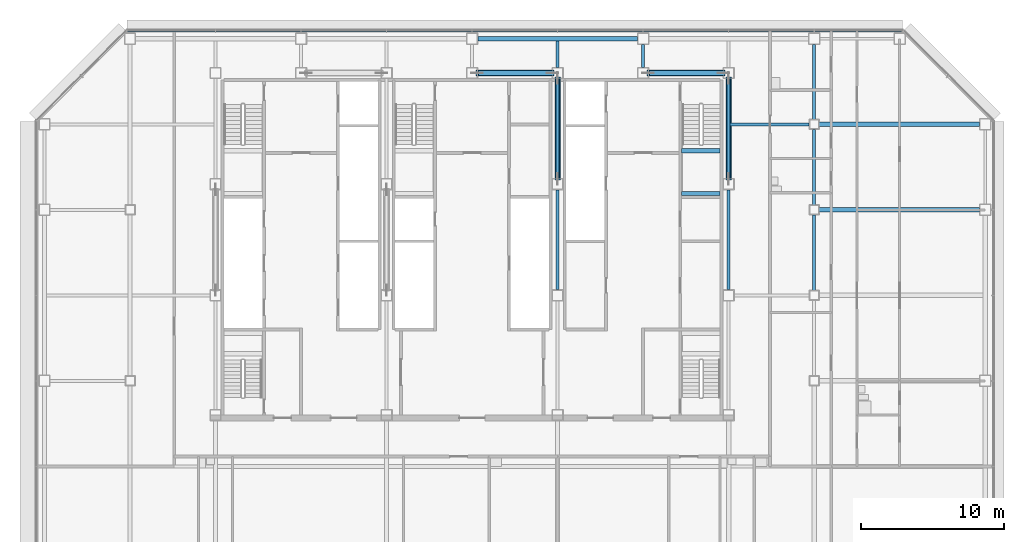
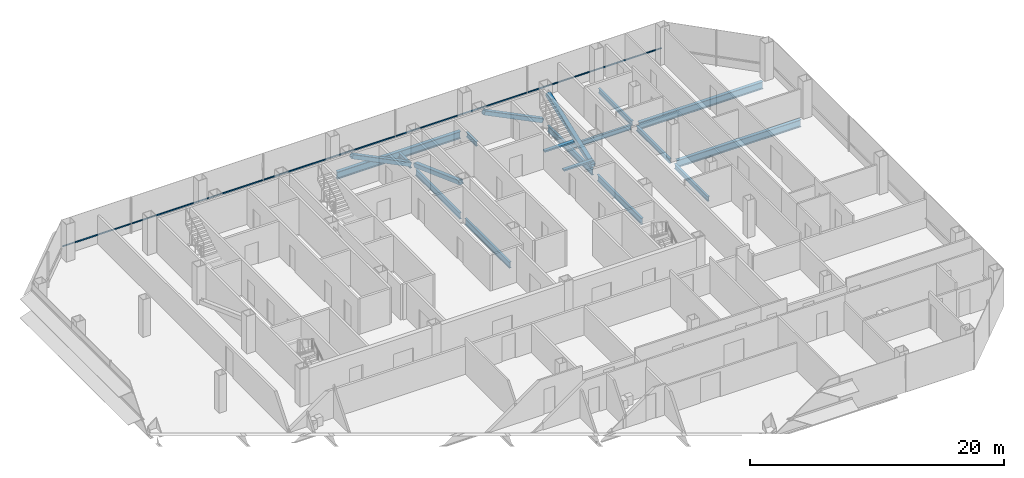
# One storey, part 13 of 25: 15 beams, 5 members, 1 element without a shape of its own.
"""IFC4 building model written with IfcOpenShell, lengths in metres."""

from ifc_helpers import new_model, si_unit, direction, frame, origin, origin_2d, place, context, subcontext, project, spatial, rectangle, hollow_rectangle, i_section, extrude, material, material_profile, profile_set, type_object, element, aggregate, save


model = new_model("IFC4")

# Units and contexts
model_context = context("Model", 3, precision=1e-05, world=origin(), true_north=direction((0.0, 1.0)))
body_context = subcontext(model_context, "Body", "Model", "MODEL_VIEW")
ifc_project = project(units=[si_unit("LENGTHUNIT", "METRE"), si_unit("AREAUNIT", "SQUARE_METRE"), si_unit("VOLUMEUNIT", "CUBIC_METRE"), si_unit("PLANEANGLEUNIT", "RADIAN"), si_unit("MASSUNIT", "GRAM", prefix="KILO")], contexts=[model_context])

# Site, building, storey
site_placement = place(None, origin())
site = spatial("IfcSite", under=ifc_project, at=site_placement, CompositionType="ELEMENT")
building_placement = place(site_placement, origin())
building = spatial("IfcBuilding", under=site, at=building_placement, Name="Sorahane Residences", CompositionType="ELEMENT")
storey_placement = place(building_placement, frame((0.0, 0.0, 130.39990234375)))
storey = spatial("IfcBuildingStorey", under=building, at=storey_placement, Name="L29", CompositionType="ELEMENT", Elevation=130.39990234375)

# Members
ifc_material_1 = material(Name="Steel Q355B", Category="steel")
ifc_material_profile_1 = material_profile(ifc_material_1, hollow_rectangle(XDim=0.39990234375, YDim=0.39990234375, WallThickness=0.02001953125, InnerFilletRadius=0.010009765625, OuterFilletRadius=0.030029296875, at=origin_2d()), Name="RHS 400x400x20")
ifc_profile_set_1 = profile_set([ifc_material_profile_1], Name="Steel Q355B")
member_type_1 = type_object("IfcMemberType", Name="Core brace RHS 400x400x20 Q355B", PredefinedType="BRACE", material=ifc_profile_set_1)
for number, where, z_axis, x_axis, name in (
    (1, (29.653076171875, 45.60009765625, 0.173828125), (-0.896480070819, 0.0, 0.443084058192), (0.0, -1.0, 0.0), "Core brace L29 y45.6-4"),
    (2, (41.653076171875, 45.60009765625, 0.173828125), (-0.896480070819, 0.0, 0.443084058192), (0.0, -1.0, 0.0), "Core brace L29 y45.6-6"),
):
    element("IfcMember", number, at=place(storey_placement, frame(where, z_axis=z_axis, x_axis=x_axis)), inside=storey, type_object=member_type_1, Name=name, PredefinedType="BRACE", context=body_context, shape_type="SweptSolid", body=[
        extrude(hollow_rectangle(XDim=0.39990234375, YDim=0.39990234375, WallThickness=0.02001953125, InnerFilletRadius=0.010009765625, OuterFilletRadius=0.030029296875, at=origin_2d()), origin(), (0.0, 0.0, 1.0), 5.9189453125),
    ])
for number, where, z_axis, x_axis, name in (
    (3, (42.0, 38.15869140625, 0.184814453125), (0.0, 0.938723182636, 0.344671998257), (-1.0, 0.0, 0.0), "Core brace L29 x42-3"),
    (4, (30.0, 45.241455078125, 0.184814453125), (0.0, -0.938723182636, 0.344671998257), (1.0, 0.0, 0.0), "Core brace L29 x30-2"),
):
    element("IfcMember", number, at=place(storey_placement, frame(where, z_axis=z_axis, x_axis=x_axis)), inside=storey, type_object=member_type_1, Name=name, PredefinedType="BRACE", context=body_context, shape_type="SweptSolid", body=[
        extrude(hollow_rectangle(XDim=0.39990234375, YDim=0.39990234375, WallThickness=0.02001953125, InnerFilletRadius=0.010009765625, OuterFilletRadius=0.030029296875, at=origin_2d()), origin(), (0.0, 0.0, 1.0), 7.545166015625),
    ])

# Curtain wall, member
ifc_material_2 = material(Name="Dark low-e glass and black anodised aluminium", Category="aluminium")
curtain_wall_type = type_object("IfcCurtainWallType", Name="Curtain wall CW-1 Typical unitised wall", PredefinedType="NOTDEFINED", material=ifc_material_2)
curtain_wall_placement = place(storey_placement, origin())
curtain_wall = element("IfcCurtainWall", 5, at=curtain_wall_placement, inside=storey, type_object=curtain_wall_type, Name="CW-1 curtain wall L29 N1", PredefinedType="NOTDEFINED")
ifc_material_3 = material(Name="Black anodised aluminium", Category="aluminium")
ifc_material_profile_2 = material_profile(ifc_material_3, rectangle(XDim=0.10009765625, YDim=0.06005859375, at=origin_2d()), Name="Curtain wall transom CW-1 black anodised aluminium 60x100")
ifc_profile_set_2 = profile_set([ifc_material_profile_2], Name="Black anodised aluminium")
member_type_2 = type_object("IfcMemberType", Name="Curtain wall transom CW-1 black anodised aluminium 60x100", PredefinedType="USERDEFINED", material=ifc_profile_set_2)
member_placement = place(storey_placement, frame((54.198486328125, 48.530029296875, 0.900146484375), z_axis=(-1.0, 0.0, 0.0), x_axis=(0.0, -1.0, 0.0)))
member = element("IfcMember", 6, at=member_placement, type_object=member_type_2, Name="CW-1 transom L29 N1", ObjectType="TRANSOM", PredefinedType="USERDEFINED", context=body_context, shape_type="SweptSolid", body=[
    extrude(rectangle(XDim=0.10009765625, YDim=0.06005859375, at=origin_2d()), origin(), (0.0, 0.0, 1.0), 54.39697265625),
])
aggregate(curtain_wall, [member])

# Beams
ifc_material_4 = material(Name="Concrete C40", Category="concrete")
ifc_material_profile_3 = material_profile(ifc_material_4, rectangle(XDim=0.300048828125, YDim=0.139892578125, at=origin_2d()), Name="300x140")
ifc_profile_set_3 = profile_set([ifc_material_profile_3], Name="Concrete C40")
beam_type_1 = type_object("IfcBeamType", Name="RC landing beam 300 x 140 Concrete C40", PredefinedType="BEAM", material=ifc_profile_set_3)
for number, where, z_axis, x_axis, name in (
    (7, (38.699951171875, 37.14990234375, 1.530029296875), (1.0, 0.0, 0.0), (0.0, 1.0, 0.0), "Landing beam"),
    (8, (38.699951171875, 40.14990234375, 1.530029296875), (1.0, 0.0, 0.0), (0.0, 1.0, 0.0), "Landing beam"),
):
    element("IfcBeam", number, at=place(storey_placement, frame(where, z_axis=z_axis, x_axis=x_axis)), inside=storey, type_object=beam_type_1, Name=name, PredefinedType="BEAM", context=body_context, shape_type="SweptSolid", body=[
        extrude(rectangle(XDim=0.300048828125, YDim=0.139892578125, at=origin_2d()), origin(), (0.0, 0.0, 1.0), 2.699951171875),
    ])
ifc_material_5 = material(Name="Steel Q355B", Category="steel")
ifc_material_profile_4 = material_profile(ifc_material_5, i_section(OverallWidth=0.199951171875, OverallDepth=0.449951171875, WebThickness=0.009033203125, FlangeThickness=0.013916015625, FilletRadius=0.02001953125, at=origin_2d()), Name="HN 450x200x9x14")
ifc_profile_set_4 = profile_set([ifc_material_profile_4], Name="Steel Q355B")
beam_type_2 = type_object("IfcBeamType", Name="Steel floor beam HN 450x200x9x14 Q355B", PredefinedType="BEAM", material=ifc_profile_set_4)
beam_1_placement = place(storey_placement, frame((30.0, 46.0, -0.40478515625), z_axis=(0.0, 1.0, 0.0), x_axis=(-1.0, 0.0, 0.0)))
element("IfcBeam", 9, at=beam_1_placement, inside=storey, type_object=beam_type_2, Name="Beam L29 049", PredefinedType="BEAM", context=body_context, shape_type="SweptSolid", body=[
    extrude(i_section(OverallWidth=0.199951171875, OverallDepth=0.449951171875, WebThickness=0.009033203125, FlangeThickness=0.013916015625, FilletRadius=0.02001953125, at=origin_2d()), origin(), (0.0, 0.0, 1.0), 1.85009765625),
])
beam_2_placement = place(storey_placement, frame((36.0, 46.0, -0.40478515625), z_axis=(0.0, 1.0, 0.0), x_axis=(-1.0, 0.0, 0.0)))
element("IfcBeam", 10, at=beam_2_placement, inside=storey, type_object=beam_type_2, Name="Beam L29 051", PredefinedType="BEAM", context=body_context, shape_type="SweptSolid", body=[
    extrude(i_section(OverallWidth=0.199951171875, OverallDepth=0.449951171875, WebThickness=0.009033203125, FlangeThickness=0.013916015625, FilletRadius=0.02001953125, at=origin_2d()), origin(), (0.0, 0.0, 1.0), 1.60009765625),
])
for number, where, z_axis, x_axis, name in (
    (11, (48.0, 30.35009765625, -0.40478515625), (0.0, 1.0, 0.0), (-1.0, 0.0, 0.0), "Beam L29 061"),
    (12, (48.0, 36.35009765625, -0.40478515625), (0.0, 1.0, 0.0), (-1.0, 0.0, 0.0), "Beam L29 062"),
):
    element("IfcBeam", number, at=place(storey_placement, frame(where, z_axis=z_axis, x_axis=x_axis)), inside=storey, type_object=beam_type_2, Name=name, PredefinedType="BEAM", context=body_context, shape_type="SweptSolid", body=[
        extrude(i_section(OverallWidth=0.199951171875, OverallDepth=0.449951171875, WebThickness=0.009033203125, FlangeThickness=0.013916015625, FilletRadius=0.02001953125, at=origin_2d()), origin(), (0.0, 0.0, 1.0), 5.2998046875),
    ])
beam_3_placement = place(storey_placement, frame((48.0, 42.35009765625, -0.40478515625), z_axis=(0.0, 1.0, 0.0), x_axis=(-1.0, 0.0, 0.0)))
element("IfcBeam", 13, at=beam_3_placement, inside=storey, type_object=beam_type_2, Name="Beam L29 063", PredefinedType="BEAM", context=body_context, shape_type="SweptSolid", body=[
    extrude(i_section(OverallWidth=0.199951171875, OverallDepth=0.449951171875, WebThickness=0.009033203125, FlangeThickness=0.013916015625, FilletRadius=0.02001953125, at=origin_2d()), origin(), (0.0, 0.0, 1.0), 5.25),
])
beam_4_placement = place(storey_placement, frame((42.10009765625, 42.0, -0.40478515625), z_axis=(1.0, 0.0, 0.0), x_axis=(0.0, 1.0, 0.0)))
element("IfcBeam", 14, at=beam_4_placement, inside=storey, type_object=beam_type_2, Name="Beam L29 091", PredefinedType="BEAM", context=body_context, shape_type="SweptSolid", body=[
    extrude(i_section(OverallWidth=0.199951171875, OverallDepth=0.449951171875, WebThickness=0.009033203125, FlangeThickness=0.013916015625, FilletRadius=0.02001953125, at=origin_2d()), origin(), (0.0, 0.0, 1.0), 5.5498046875),
])
ifc_material_6 = material(Name="Steel Q355B", Category="steel")
ifc_material_profile_5 = material_profile(ifc_material_6, i_section(OverallWidth=0.199951171875, OverallDepth=0.60009765625, WebThickness=0.010986328125, FlangeThickness=0.01708984375, FilletRadius=0.02392578125, at=origin_2d()), Name="HN 600x200x11x17")
ifc_profile_set_5 = profile_set([ifc_material_profile_5], Name="Steel Q355B")
beam_type_3 = type_object("IfcBeamType", Name="Steel floor beam HN 600x200x11x17 Q355B", PredefinedType="BEAM", material=ifc_profile_set_5)
for number, where, z_axis, x_axis, name in (
    (15, (30.0, 30.39990234375, -0.47998046875), (0.0, 1.0, 0.0), (-1.0, 0.0, 0.0), "Beam L29 047"),
    (16, (30.0, 38.199951171875, -0.47998046875), (0.0, 1.0, 0.0), (-1.0, 0.0, 0.0), "Beam L29 048"),
    (17, (42.0, 30.39990234375, -0.47998046875), (0.0, 1.0, 0.0), (-1.0, 0.0, 0.0), "Beam L29 055"),
    (18, (42.0, 38.199951171875, -0.47998046875), (0.0, 1.0, 0.0), (-1.0, 0.0, 0.0), "Beam L29 056"),
):
    element("IfcBeam", number, at=place(storey_placement, frame(where, z_axis=z_axis, x_axis=x_axis)), inside=storey, type_object=beam_type_3, Name=name, PredefinedType="BEAM", context=body_context, shape_type="SweptSolid", body=[
        extrude(i_section(OverallWidth=0.199951171875, OverallDepth=0.60009765625, WebThickness=0.010986328125, FlangeThickness=0.01708984375, FilletRadius=0.02392578125, at=origin_2d()), origin(), (0.0, 0.0, 1.0), 7.0),
    ])
ifc_material_7 = material(Name="Steel Q355B", Category="steel")
ifc_material_profile_6 = material_profile(ifc_material_7, i_section(OverallWidth=0.300048828125, OverallDepth=0.699951171875, WebThickness=0.012939453125, FlangeThickness=0.02392578125, FilletRadius=0.028076171875, at=origin_2d()), Name="HN 700x300x13x24")
ifc_profile_set_6 = profile_set([ifc_material_profile_6], Name="Steel Q355B")
beam_type_4 = type_object("IfcBeamType", Name="Steel floor beam HN 700x300x13x24 Q355B", PredefinedType="BEAM", material=ifc_profile_set_6)
beam_5_placement = place(storey_placement, frame((48.35009765625, 36.0, -0.52978515625), z_axis=(1.0, 0.0, 0.0), x_axis=(0.0, 1.0, 0.0)))
element("IfcBeam", 19, at=beam_5_placement, inside=storey, type_object=beam_type_4, Name="Beam L29 014", PredefinedType="BEAM", context=body_context, shape_type="SweptSolid", body=[
    extrude(i_section(OverallWidth=0.300048828125, OverallDepth=0.699951171875, WebThickness=0.012939453125, FlangeThickness=0.02392578125, FilletRadius=0.028076171875, at=origin_2d()), origin(), (0.0, 0.0, 1.0), 11.25),
])
beam_6_placement = place(storey_placement, frame((24.39990234375, 48.0, -0.52978515625), z_axis=(1.0, 0.0, 0.0), x_axis=(0.0, 1.0, 0.0)))
element("IfcBeam", 20, at=beam_6_placement, inside=storey, type_object=beam_type_4, Name="Beam L29 017", PredefinedType="BEAM", context=body_context, shape_type="SweptSolid", body=[
    extrude(i_section(OverallWidth=0.300048828125, OverallDepth=0.699951171875, WebThickness=0.012939453125, FlangeThickness=0.02392578125, FilletRadius=0.028076171875, at=origin_2d()), origin(), (0.0, 0.0, 1.0), 11.2001953125),
])
beam_7_placement = place(storey_placement, frame((48.35009765625, 42.0, -0.52978515625), z_axis=(1.0, 0.0, 0.0), x_axis=(0.0, 1.0, 0.0)))
element("IfcBeam", 21, at=beam_7_placement, inside=storey, type_object=beam_type_4, Name="Beam L29 092", PredefinedType="BEAM", context=body_context, shape_type="SweptSolid", body=[
    extrude(i_section(OverallWidth=0.300048828125, OverallDepth=0.699951171875, WebThickness=0.012939453125, FlangeThickness=0.02392578125, FilletRadius=0.028076171875, at=origin_2d()), origin(), (0.0, 0.0, 1.0), 11.25),
])

save(model, "model.ifc")
